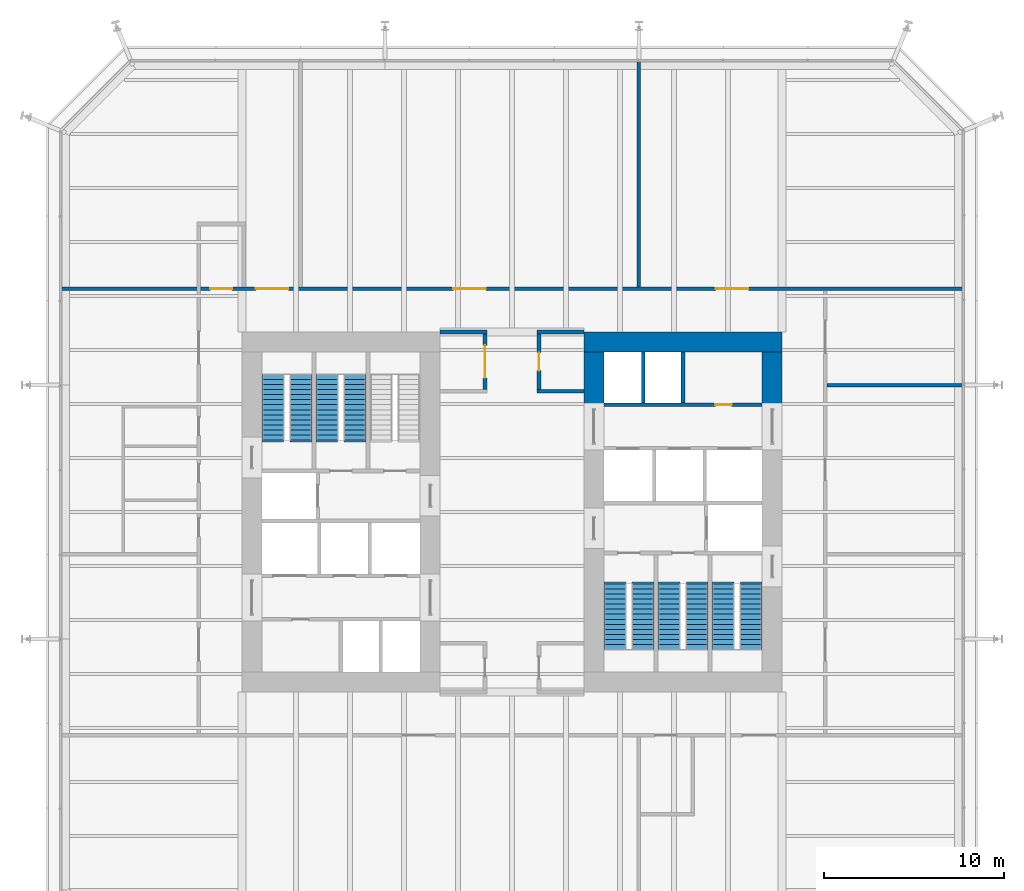
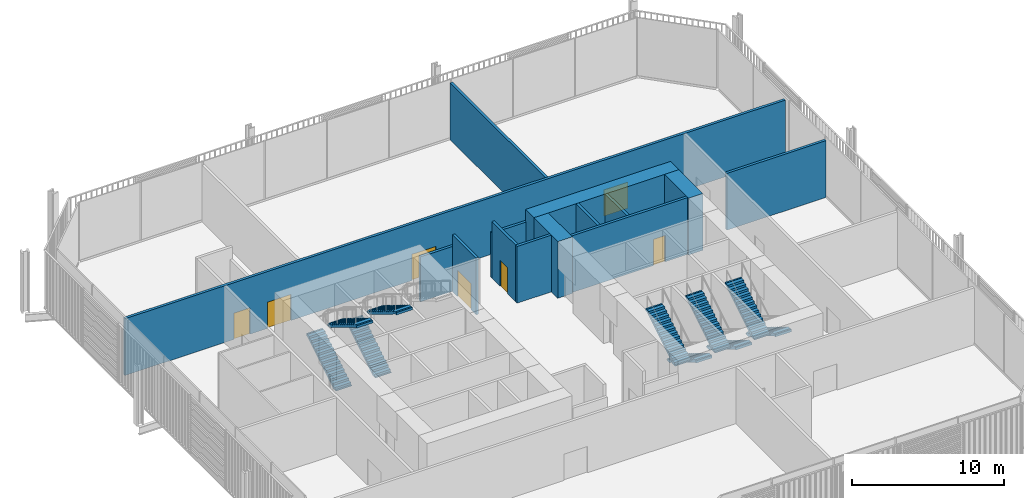
# One storey, part 20 of 22: 14 walls, 10 stair flights, 7 doors, 7 openings, 5 elements without a shape of their own.
"""IFC4 building model written with IfcOpenShell, lengths in metres."""

import ifcopenshell
import ifcopenshell.guid

model = None  # the IFC model being written
_history = None  # IfcOwnerHistory: only IFC2X3 demands one
_inside = {}  # id of a spatial element -> (the spatial element, [elements in it])
_under = {}  # id of a project, library or spatial element -> (it, [spatial elements below it])
_declared = {}  # id of a project -> (the project, [libraries it declares])
_typed = {}  # id of a type object -> (the type object, [elements of that type])
_made_of = {}  # id of a material, layer set ... -> (it, [elements and type objects made of it])


def new_model(schema):
    """Start an empty IFC model of exactly this schema.

    Asked for "IFC4X3", IfcOpenShell would pick the latest addendum, in which some entities
    have other attributes; the version numbers below select the first issue.
    IFC2X3 requires an IfcOwnerHistory on every rooted entity: one is made here for all.
    """
    global model, _history
    if schema == "IFC4X3":
        model = ifcopenshell.file(schema_version=(4, 3, 0, 0))
    else:
        model = ifcopenshell.file(schema=schema)
    _inside.clear()
    _under.clear()
    _declared.clear()
    _typed.clear()
    _made_of.clear()
    _history = None
    if model.schema == "IFC2X3":
        org = make("IfcOrganization", Name="unknown")
        user = make(
            "IfcPersonAndOrganization",
            ThePerson=make("IfcPerson", FamilyName="unknown"),
            TheOrganization=org,
        )
        app = make(
            "IfcApplication",
            ApplicationDeveloper=org,
            Version="unknown",
            ApplicationFullName="unknown",
            ApplicationIdentifier="unknown",
        )
        _history = make(
            "IfcOwnerHistory",
            OwningUser=user,
            OwningApplication=app,
            ChangeAction="ADDED",
            CreationDate=0,
        )
    return model


def make(cls, **values):
    """One entity of the class cls with the attributes given. An attribute that is None is left unset."""
    return model.create_entity(
        cls, **{name: value for name, value in values.items() if value is not None}
    )


def rooted(cls, **values):
    """An entity with a GlobalId (a new one), such as an element, a storey or a relation."""
    return make(cls, GlobalId=ifcopenshell.guid.new(), OwnerHistory=_history, **values)


def si_unit(unit_type, name, prefix=None):
    """IfcSIUnit, for example si_unit("LENGTHUNIT", "METRE", prefix="MILLI")."""
    return make("IfcSIUnit", UnitType=unit_type, Prefix=prefix, Name=name)


def assignment(units):
    """IfcUnitAssignment: the units of a project."""
    return None if units is None else make("IfcUnitAssignment", Units=units)


def point(xyz):
    """IfcCartesianPoint."""
    return None if xyz is None else make("IfcCartesianPoint", Coordinates=xyz)


def direction(xyz):
    """IfcDirection."""
    return None if xyz is None else make("IfcDirection", DirectionRatios=xyz)


def frame(location, z_axis=None, x_axis=None):
    """IfcAxis2Placement3D, a coordinate frame: its origin and axes. An axis left out is left unset."""
    return make(
        "IfcAxis2Placement3D",
        Location=point(location),
        Axis=direction(z_axis),
        RefDirection=direction(x_axis),
    )


def frame_2d(location, x_axis=None):
    """IfcAxis2Placement2D, a coordinate frame in the plane: its origin and x axis."""
    return make(
        "IfcAxis2Placement2D", Location=point(location), RefDirection=direction(x_axis)
    )


def origin():
    """The frame at (0, 0, 0) with its axes left unset."""
    return frame((0.0, 0.0, 0.0))


def place(relative_to, where):
    """IfcLocalPlacement: puts the frame where relative to a parent placement (None: the world)."""
    return make(
        "IfcLocalPlacement", PlacementRelTo=relative_to, RelativePlacement=where
    )


def context(
    kind, dimensions, precision=None, world=None, true_north=None, identifier=None
):
    """IfcGeometricRepresentationContext, for example the 3D "Model" context."""
    return make(
        "IfcGeometricRepresentationContext",
        ContextIdentifier=identifier,
        ContextType=kind,
        CoordinateSpaceDimension=dimensions,
        Precision=precision,
        WorldCoordinateSystem=world,
        TrueNorth=true_north,
    )


def subcontext(parent, identifier, kind, view, scale=None):
    """IfcGeometricRepresentationSubContext, for example "Body" below "Model"."""
    return make(
        "IfcGeometricRepresentationSubContext",
        ContextIdentifier=identifier,
        ContextType=kind,
        ParentContext=parent,
        TargetScale=scale,
        TargetView=view,
    )


def project(units=None, contexts=None):
    """IfcProject with its units and contexts."""
    return rooted(
        "IfcProject",
        Name="project",
        RepresentationContexts=contexts,
        UnitsInContext=assignment(units),
    )


def spatial(cls, under=None, at=None, **own):
    """A site, building, storey or space (cls), placed at a placement, below another one or the project."""
    s = rooted(cls, ObjectPlacement=at, **own)
    if under is not None:
        _under.setdefault(under.id(), (under, []))[1].append(s)
    return s


def polyline(points):
    """IfcPolyline through the points."""
    return make("IfcPolyline", Points=[point(p) for p in points])


def profile(cls, at=None, kind="AREA", **sizes):
    """A parametric profile (cls). Its sizes go by their IFC names, for example OverallWidth=200.0."""
    return make(cls, ProfileType=kind, Position=at, **sizes)


def rectangle(**sizes):
    """IfcRectangleProfileDef."""
    return profile("IfcRectangleProfileDef", **sizes)


def outline(outer, holes=None, kind="AREA"):
    """IfcArbitraryClosedProfileDef: a profile drawn as a closed curve; with holes, ...WithVoids."""
    if holes is None:
        return make("IfcArbitraryClosedProfileDef", ProfileType=kind, OuterCurve=outer)
    return make(
        "IfcArbitraryProfileDefWithVoids",
        ProfileType=kind,
        OuterCurve=outer,
        InnerCurves=holes,
    )


def extrude(swept, where, along, depth):
    """IfcExtrudedAreaSolid: the profile swept, set in the frame where, extruded along a direction by depth."""
    return make(
        "IfcExtrudedAreaSolid",
        SweptArea=swept,
        Position=where,
        ExtrudedDirection=direction(along),
        Depth=depth,
    )


def shape(context_of_items, identifier, shape_type, items):
    """IfcShapeRepresentation: the items that make up one representation, for example the "Body"."""
    return make(
        "IfcShapeRepresentation",
        ContextOfItems=context_of_items,
        RepresentationIdentifier=identifier,
        RepresentationType=shape_type,
        Items=items,
    )


def material(Name=None, Category=None):
    """IfcMaterial."""
    return make("IfcMaterial", Name=Name, Category=Category)


def layer(
    of_material, thickness, ventilated=None, Name=None, Category=None, Priority=None
):
    """IfcMaterialLayer: one layer of a wall or slab, of a material (None: an air gap)."""
    return make(
        "IfcMaterialLayer",
        Material=of_material,
        LayerThickness=thickness,
        IsVentilated=ventilated,
        Name=Name,
        Category=Category,
        Priority=Priority,
    )


def layer_set(layers, Name=None):
    """IfcMaterialLayerSet."""
    return make("IfcMaterialLayerSet", MaterialLayers=layers, LayerSetName=Name)


def made_of(thing, what):
    """Note that an element or type object is made of a material, layer set ...; save() writes the relation."""
    if what is not None:
        _made_of.setdefault(what.id(), (what, []))[1].append(thing)
    return thing


def type_object(cls, material=None, **own):
    """A type object (cls), such as IfcWallType, which elements share."""
    return made_of(rooted(cls, **own), material)


def element(
    cls,
    number,
    at=None,
    inside=None,
    cuts=None,
    type_object=None,
    material=None,
    context=None,
    identifier="Body",
    shape_type=None,
    held_by="IfcProductDefinitionShape",
    body=None,
    shapes=None,
    **own,
):
    """One element of the class cls, such as IfcWall. Its Tag is "e" and its number.

    at: its placement. inside: the storey or other place that contains it. cuts: it is an
    opening in that element (IfcRelVoidsElement). A single representation is given by context,
    identifier, shape_type and body (its items); several are given by shapes. held_by: the class
    of the entity that holds the representations. save() writes the other relations.
    """
    e = rooted(cls, Tag="e%d" % number, ObjectPlacement=at, **own)
    if body is not None:
        shapes = [shape(context, identifier, shape_type, body)]
    if shapes is not None:
        e.Representation = make(held_by, Representations=shapes)
    if inside is not None:
        _inside.setdefault(inside.id(), (inside, []))[1].append(e)
    if cuts is not None:
        rooted(
            "IfcRelVoidsElement", RelatingBuildingElement=cuts, RelatedOpeningElement=e
        )
    if type_object is not None:
        _typed.setdefault(type_object.id(), (type_object, []))[1].append(e)
    return made_of(e, material)


def fill(opening, filler):
    """IfcRelFillsElement: the door or window that sits in an opening."""
    return rooted(
        "IfcRelFillsElement",
        RelatingOpeningElement=opening,
        RelatedBuildingElement=filler,
    )


def aggregate(whole, parts):
    """IfcRelAggregates: a whole, such as a stair, and the parts it consists of."""
    return rooted("IfcRelAggregates", RelatingObject=whole, RelatedObjects=parts)


def save(model, path):
    """Write the relations noted so far, then the file.

    IfcRelAggregates (storeys below a building ...), IfcRelContainedInSpatialStructure (elements
    in a storey), IfcRelDefinesByType, IfcRelAssociatesMaterial and IfcRelDeclares: one each for
    every whole, place, type object, material and project.
    """
    for whole, parts in _under.values():
        aggregate(whole, parts)
    for where, things in _inside.values():
        rooted(
            "IfcRelContainedInSpatialStructure",
            RelatedElements=things,
            RelatingStructure=where,
        )
    for kind, things in _typed.values():
        rooted("IfcRelDefinesByType", RelatedObjects=things, RelatingType=kind)
    for what, things in _made_of.values():
        rooted("IfcRelAssociatesMaterial", RelatedObjects=things, RelatingMaterial=what)
    for by, libraries in _declared.values():
        rooted("IfcRelDeclares", RelatingContext=by, RelatedDefinitions=libraries)
    model.write(path)


model = new_model("IFC4")

# Units and contexts
model_context = context("Model", 3, precision=1e-05, world=origin(), true_north=direction((0.0, 1.0)))
body_context = subcontext(model_context, "Body", "Model", "MODEL_VIEW")
ifc_project = project(units=[si_unit("LENGTHUNIT", "METRE"), si_unit("AREAUNIT", "SQUARE_METRE"), si_unit("VOLUMEUNIT", "CUBIC_METRE"), si_unit("PLANEANGLEUNIT", "RADIAN"), si_unit("MASSUNIT", "GRAM", prefix="KILO")], contexts=[model_context])

# Site, building, storey
site_placement = place(None, origin())
site = spatial("IfcSite", under=ifc_project, at=site_placement, CompositionType="ELEMENT")
building_placement = place(site_placement, origin())
building = spatial("IfcBuilding", under=site, at=building_placement, Name="Millrace Tower", CompositionType="ELEMENT")
storey_placement = place(building_placement, frame((0.0, 0.0, 59.300048828125)))
storey = spatial("IfcBuildingStorey", under=building, at=storey_placement, Name="L13", CompositionType="ELEMENT", Elevation=59.300048828125)

# Walls
ifc_material_1 = material(Name="Concrete C80", Category="concrete")
ifc_layer_1 = layer(ifc_material_1, 1.10009765625)
ifc_layer_set_1 = layer_set([ifc_layer_1], Name="Concrete C80")
wall_type_1 = type_object("IfcWallType", Name="Core wall 1100 Concrete C80", PredefinedType="SHEAR", material=ifc_layer_set_1)
wall_1_placement = place(storey_placement, frame((15.0, 9.449951171875, 0.0), z_axis=(0.0, 0.0, 1.0), x_axis=(-1.0, 0.0, 0.0)))
element("IfcWall", 1, at=wall_1_placement, inside=storey, type_object=wall_type_1, Name="Core wall E L13", PredefinedType="SHEAR", context=body_context, shape_type="SweptSolid", body=[
    extrude(rectangle(XDim=11.0, YDim=1.10009765625, at=frame_2d((5.5, 0.0))), origin(), (0.0, 0.0, 1.0), 4.550048828125),
])
for number, where, z_axis, x_axis, name in (
    (2, (14.449951171875, 8.89990234375, 0.0), (0.0, 0.0, 1.0), (0.0, -1.0, 0.0), "Core wall E L13"),
    (3, (4.550048828125, 8.89990234375, 0.0), (0.0, 0.0, 1.0), (0.0, -1.0, 0.0), "Core wall E L13"),
):
    element("IfcWall", number, at=place(storey_placement, frame(where, z_axis=z_axis, x_axis=x_axis)), inside=storey, type_object=wall_type_1, Name=name, PredefinedType="SHEAR", context=body_context, shape_type="SweptSolid", body=[
        extrude(rectangle(XDim=3.14990234375, YDim=1.10009765625, at=frame_2d((1.574951171875, 0.0))), origin(), (0.0, 0.0, 1.0), 4.550048828125),
    ])
ifc_material_2 = material(Name="Masonry partition, fire-rated", Category="masonry")
ifc_layer_2 = layer(ifc_material_2, 0.199951171875)
ifc_layer_set_2 = layer_set([ifc_layer_2], Name="Masonry partition, fire-rated")
wall_type_2 = type_object("IfcWallType", Name="Corridor wall 200", PredefinedType="PARTITIONING", material=ifc_layer_set_2)
wall_2_placement = place(storey_placement, frame((1.39990234375, 6.699951171875, 0.0), z_axis=(0.0, 0.0, 1.0), x_axis=(1.0, 0.0, 0.0)))
element("IfcWall", 4, at=wall_2_placement, inside=storey, type_object=wall_type_2, Name="Corridor wall L13", PredefinedType="PARTITIONING", context=body_context, shape_type="SweptSolid", body=[
    extrude(rectangle(XDim=2.60009765625, YDim=0.199951171875, at=frame_2d((1.300048828125, 0.0))), origin(), (0.0, 0.0, 1.0), 4.550048828125),
])
wall_3_placement = place(storey_placement, frame((17.5, 7.050048828125, 0.0), z_axis=(0.0, 0.0, 1.0), x_axis=(1.0, 0.0, 0.0)))
element("IfcWall", 5, at=wall_3_placement, inside=storey, type_object=wall_type_2, Name="Corridor wall L13", PredefinedType="PARTITIONING", context=body_context, shape_type="SweptSolid", body=[
    extrude(rectangle(XDim=7.530029296875, YDim=0.199951171875, at=frame_2d((3.76513671875, 0.0))), origin(), (0.0, 0.0, 1.0), 4.550048828125),
])
for number, where, z_axis, x_axis, name in (
    (6, (-4.0, 10.0, 0.0), (0.0, 0.0, 1.0), (1.0, 0.0, 0.0), "Corridor wall L13"),
    (7, (1.39990234375, 10.0, 0.0), (0.0, 0.0, 1.0), (1.0, 0.0, 0.0), "Corridor wall L13"),
):
    element("IfcWall", number, at=place(storey_placement, frame(where, z_axis=z_axis, x_axis=x_axis)), inside=storey, type_object=wall_type_2, Name=name, PredefinedType="PARTITIONING", context=body_context, shape_type="SweptSolid", body=[
        extrude(rectangle(XDim=2.60009765625, YDim=0.199951171875, at=frame_2d((1.300048828125, 0.0))), origin(), (0.0, 0.0, 1.0), 3.6025390625),
    ])

# Wall, openings, doors
wall_4_placement = place(storey_placement, frame((-25.030029296875, 12.39990234375, 0.0), z_axis=(0.0, 0.0, 1.0), x_axis=(1.0, 0.0, 0.0)))
wall_4 = element("IfcWall", 8, at=wall_4_placement, inside=storey, type_object=wall_type_2, Name="Corridor wall L13", PredefinedType="PARTITIONING", context=body_context, shape_type="SweptSolid", body=[
    extrude(rectangle(XDim=50.06005859375, YDim=0.199951171875, at=frame_2d((25.030029296875, 0.0))), origin(), (0.0, 0.0, 1.0), 4.550048828125),
])
opening_1_placement = place(wall_4_placement, frame((10.804931640625, 0.0, 0.0)))
opening_1 = element("IfcOpeningElement", 9, at=opening_1_placement, cuts=wall_4, Name="Opening 13-P008", PredefinedType="OPENING", context=body_context, shape_type="SweptSolid", body=[
    extrude(rectangle(XDim=1.800048828125, YDim=2.10009765625, at=frame_2d((0.89990234375, 1.050048828125))), frame((0.0, 0.10986328125, 0.0), z_axis=(0.0, -1.0, 0.0), x_axis=(1.0, 0.0, 0.0)), (0.0, 0.0, 1.0), 0.219970703125),
])
opening_2_placement = place(wall_4_placement, frame((8.280029296875, 0.0, 0.0)))
opening_2 = element("IfcOpeningElement", 10, at=opening_2_placement, cuts=wall_4, Name="Opening 13-P009", PredefinedType="OPENING", context=body_context, shape_type="SweptSolid", body=[
    extrude(rectangle(XDim=1.199951171875, YDim=2.10009765625, at=frame_2d((0.60009765625, 1.050048828125))), frame((0.0, 0.10986328125, 0.0), z_axis=(0.0, -1.0, 0.0), x_axis=(1.0, 0.0, 0.0)), (0.0, 0.0, 1.0), 0.219970703125),
])
opening_3_placement = place(wall_4_placement, frame((21.780029296875, 0.0, 0.0)))
opening_3 = element("IfcOpeningElement", 11, at=opening_3_placement, cuts=wall_4, Name="Opening 13-P010", PredefinedType="OPENING", context=body_context, shape_type="SweptSolid", body=[
    extrude(rectangle(XDim=1.800048828125, YDim=2.10009765625, at=frame_2d((0.89990234375, 1.050048828125))), frame((0.0, 0.10986328125, 0.0), z_axis=(0.0, -1.0, 0.0), x_axis=(1.0, 0.0, 0.0)), (0.0, 0.0, 1.0), 0.219970703125),
])
opening_4_placement = place(wall_4_placement, frame((36.360107421875, 0.0, 0.0)))
opening_4 = element("IfcOpeningElement", 12, at=opening_4_placement, cuts=wall_4, Name="Opening 13-P011", PredefinedType="OPENING", context=body_context, shape_type="SweptSolid", body=[
    extrude(rectangle(XDim=1.800048828125, YDim=2.10009765625, at=frame_2d((0.89990234375, 1.050048828125))), frame((0.0, 0.10986328125, 0.0), z_axis=(0.0, -1.0, 0.0), x_axis=(1.0, 0.0, 0.0)), (0.0, 0.0, 1.0), 0.219970703125),
])
ifc_material_3 = material(Name="Steel door set, fire-rated", Category="steel")
door_type_1 = type_object("IfcDoorType", Name="Corridor door 1200 x 2100", OperationType="SINGLE_SWING_LEFT", PredefinedType="DOOR", material=ifc_material_3)
door_1_placement = place(opening_2_placement, origin())
door_1 = element("IfcDoor", 13, at=door_1_placement, inside=storey, type_object=door_type_1, Name="Door 13-P009", OperationType="SINGLE_SWING_LEFT", OverallHeight=2.10009765625, OverallWidth=1.199951171875, PredefinedType="DOOR", context=body_context, shape_type="SweptSolid", body=[
    extrude(rectangle(XDim=1.199951171875, YDim=2.10009765625, at=frame_2d((0.60009765625, 1.050048828125))), frame((0.0, 0.02490234375, 0.0), z_axis=(0.0, -1.0, 0.0), x_axis=(1.0, 0.0, 0.0)), (0.0, 0.0, 1.0), 0.050048828125),
])
fill(opening_2, door_1)
ifc_material_4 = material(Name="Steel door set, fire-rated", Category="steel")
door_type_2 = type_object("IfcDoorType", Name="Data hall door 1800 x 2100", OperationType="DOUBLE_DOOR_SINGLE_SWING", PredefinedType="DOOR", material=ifc_material_4)
door_2_placement = place(opening_1_placement, origin())
door_2 = element("IfcDoor", 14, at=door_2_placement, inside=storey, type_object=door_type_2, Name="Door 13-P008", OperationType="DOUBLE_DOOR_SINGLE_SWING", OverallHeight=2.10009765625, OverallWidth=1.800048828125, PredefinedType="DOOR", context=body_context, shape_type="SweptSolid", body=[
    extrude(rectangle(XDim=1.800048828125, YDim=2.10009765625, at=frame_2d((0.89990234375, 1.050048828125))), frame((0.0, 0.02490234375, 0.0), z_axis=(0.0, -1.0, 0.0), x_axis=(1.0, 0.0, 0.0)), (0.0, 0.0, 1.0), 0.050048828125),
])
fill(opening_1, door_2)
door_3_placement = place(opening_3_placement, origin())
door_3 = element("IfcDoor", 15, at=door_3_placement, inside=storey, type_object=door_type_2, Name="Door 13-P010", OperationType="DOUBLE_DOOR_SINGLE_SWING", OverallHeight=2.10009765625, OverallWidth=1.800048828125, PredefinedType="DOOR", context=body_context, shape_type="SweptSolid", body=[
    extrude(rectangle(XDim=1.800048828125, YDim=2.10009765625, at=frame_2d((0.89990234375, 1.050048828125))), frame((0.0, 0.02490234375, 0.0), z_axis=(0.0, -1.0, 0.0), x_axis=(1.0, 0.0, 0.0)), (0.0, 0.0, 1.0), 0.050048828125),
])
fill(opening_3, door_3)
door_4_placement = place(opening_4_placement, origin())
door_4 = element("IfcDoor", 16, at=door_4_placement, inside=storey, type_object=door_type_2, Name="Door 13-P011", OperationType="DOUBLE_DOOR_SINGLE_SWING", OverallHeight=2.10009765625, OverallWidth=1.800048828125, PredefinedType="DOOR", context=body_context, shape_type="SweptSolid", body=[
    extrude(rectangle(XDim=1.800048828125, YDim=2.10009765625, at=frame_2d((0.89990234375, 1.050048828125))), frame((0.0, 0.02490234375, 0.0), z_axis=(0.0, -1.0, 0.0), x_axis=(1.0, 0.0, 0.0)), (0.0, 0.0, 1.0), 0.050048828125),
])
fill(opening_4, door_4)

# Wall
wall_5_placement = place(storey_placement, frame((7.050048828125, 12.5, 0.0), z_axis=(0.0, 0.0, 1.0), x_axis=(0.0, 1.0, 0.0)))
element("IfcWall", 17, at=wall_5_placement, inside=storey, type_object=wall_type_2, Name="Corridor wall L13", PredefinedType="PARTITIONING", context=body_context, shape_type="SweptSolid", body=[
    extrude(rectangle(XDim=12.530029296875, YDim=0.199951171875, at=frame_2d((6.26513671875, 0.0))), origin(), (0.0, 0.0, 1.0), 4.550048828125),
])

# Wall, opening, door
wall_6_placement = place(storey_placement, frame((1.5, 6.800048828125, 0.0), z_axis=(0.0, 0.0, 1.0), x_axis=(0.0, 1.0, 0.0)))
wall_6 = element("IfcWall", 18, at=wall_6_placement, inside=storey, type_object=wall_type_2, Name="Corridor wall L13", PredefinedType="PARTITIONING", context=body_context, shape_type="SweptSolid", body=[
    extrude(rectangle(XDim=3.099853515625, YDim=0.199951171875, at=frame_2d((1.5498046875, 0.0))), origin(), (0.0, 0.0, 1.0), 4.550048828125),
])
opening_5_placement = place(wall_6_placement, frame((1.050048828125, 0.0, 0.0)))
opening_5 = element("IfcOpeningElement", 19, at=opening_5_placement, cuts=wall_6, Name="Opening 13-P002", PredefinedType="OPENING", context=body_context, shape_type="SweptSolid", body=[
    extrude(rectangle(XDim=1.0, YDim=2.10009765625, at=frame_2d((0.5, 1.050048828125))), frame((0.0, 0.10986328125, 0.0), z_axis=(0.0, -1.0, 0.0), x_axis=(1.0, 0.0, 0.0)), (0.0, 0.0, 1.0), 0.219970703125),
])
ifc_material_5 = material(Name="Steel door set, fire-rated", Category="steel")
door_type_3 = type_object("IfcDoorType", Name="Corridor door 1000 x 2100", OperationType="SINGLE_SWING_LEFT", PredefinedType="DOOR", material=ifc_material_5)
door_5_placement = place(opening_5_placement, frame((1.0, 0.0, 0.0), z_axis=(0.0, 0.0, 1.0), x_axis=(-1.0, 0.0, 0.0)))
door_5 = element("IfcDoor", 20, at=door_5_placement, inside=storey, type_object=door_type_3, Name="Door 13-P002", OperationType="SINGLE_SWING_RIGHT", OverallHeight=2.10009765625, OverallWidth=1.0, PredefinedType="DOOR", context=body_context, shape_type="SweptSolid", body=[
    extrude(rectangle(XDim=1.0, YDim=2.10009765625, at=frame_2d((0.5, 1.050048828125))), frame((0.0, 0.02490234375, 0.0), z_axis=(0.0, -1.0, 0.0), x_axis=(1.0, 0.0, 0.0)), (0.0, 0.0, 1.0), 0.050048828125),
])
fill(opening_5, door_5)

wall_7_placement = place(storey_placement, frame((-1.5, 6.800048828125, 0.0), z_axis=(0.0, 0.0, 1.0), x_axis=(0.0, 1.0, 0.0)))
wall_7 = element("IfcWall", 21, at=wall_7_placement, inside=storey, type_object=wall_type_2, Name="Corridor wall L13", PredefinedType="PARTITIONING", context=body_context, shape_type="SweptSolid", body=[
    extrude(rectangle(XDim=3.099853515625, YDim=0.199951171875, at=frame_2d((1.5498046875, 0.0))), origin(), (0.0, 0.0, 1.0), 4.550048828125),
])
opening_6_placement = place(wall_7_placement, frame((0.64990234375, 0.0, 0.0)))
opening_6 = element("IfcOpeningElement", 22, at=opening_6_placement, cuts=wall_7, Name="Opening 13-P001", PredefinedType="OPENING", context=body_context, shape_type="SweptSolid", body=[
    extrude(rectangle(XDim=1.800048828125, YDim=2.10009765625, at=frame_2d((0.89990234375, 1.050048828125))), frame((0.0, 0.10986328125, 0.0), z_axis=(0.0, -1.0, 0.0), x_axis=(1.0, 0.0, 0.0)), (0.0, 0.0, 1.0), 0.219970703125),
])
door_6_placement = place(opening_6_placement, origin())
door_6 = element("IfcDoor", 23, at=door_6_placement, inside=storey, type_object=door_type_2, Name="Door 13-P001", OperationType="DOUBLE_DOOR_SINGLE_SWING", OverallHeight=2.10009765625, OverallWidth=1.800048828125, PredefinedType="DOOR", context=body_context, shape_type="SweptSolid", body=[
    extrude(rectangle(XDim=1.800048828125, YDim=2.10009765625, at=frame_2d((0.89990234375, 1.050048828125))), frame((0.0, 0.02490234375, 0.0), z_axis=(0.0, -1.0, 0.0), x_axis=(1.0, 0.0, 0.0)), (0.0, 0.0, 1.0), 0.050048828125),
])
fill(opening_6, door_6)

ifc_material_6 = material(Name="Masonry partition, fire-rated", Category="masonry")
ifc_layer_3 = layer(ifc_material_6, 0.199951171875)
ifc_layer_set_3 = layer_set([ifc_layer_3], Name="Masonry partition, fire-rated")
wall_type_3 = type_object("IfcWallType", Name="Lift shaft wall 200", PredefinedType="PARTITIONING", material=ifc_layer_set_3)
wall_8_placement = place(storey_placement, frame((13.89990234375, 5.949951171875, 0.0), z_axis=(0.0, 0.0, 1.0), x_axis=(-1.0, 0.0, 0.0)))
wall_8 = element("IfcWall", 24, at=wall_8_placement, inside=storey, type_object=wall_type_3, Name="Lift shaft wall E L13", PredefinedType="PARTITIONING", context=body_context, shape_type="SweptSolid", body=[
    extrude(rectangle(XDim=8.7998046875, YDim=0.199951171875, at=frame_2d((4.39990234375, 0.0))), origin(), (0.0, 0.0, 1.0), 4.550048828125),
])
opening_7_placement = place(wall_8_placement, frame((1.699951171875, 0.0, 0.0)))
opening_7 = element("IfcOpeningElement", 25, at=opening_7_placement, cuts=wall_8, Name="Opening 13-C012", PredefinedType="OPENING", context=body_context, shape_type="SweptSolid", body=[
    extrude(rectangle(XDim=0.89990234375, YDim=2.10009765625, at=frame_2d((0.449951171875, 1.050048828125))), frame((0.0, 0.10986328125, 0.0), z_axis=(0.0, -1.0, 0.0), x_axis=(1.0, 0.0, 0.0)), (0.0, 0.0, 1.0), 0.219970703125),
])
ifc_material_7 = material(Name="Steel door, fire-rated", Category="steel")
door_type_4 = type_object("IfcDoorType", Name="Service room door 900 x 2100", OperationType="SINGLE_SWING_LEFT", PredefinedType="DOOR", material=ifc_material_7)
door_7_placement = place(opening_7_placement, frame((0.89990234375, 0.0, 0.0), z_axis=(0.0, 0.0, 1.0), x_axis=(-1.0, 0.0, 0.0)))
door_7 = element("IfcDoor", 26, at=door_7_placement, inside=storey, type_object=door_type_4, Name="Service room door 13-C012", OperationType="SINGLE_SWING_RIGHT", OverallHeight=2.10009765625, OverallWidth=0.89990234375, PredefinedType="DOOR", context=body_context, shape_type="SweptSolid", body=[
    extrude(rectangle(XDim=0.89990234375, YDim=2.10009765625, at=frame_2d((0.449951171875, 1.050048828125))), frame((0.0, 0.02490234375, 0.0), z_axis=(0.0, -1.0, 0.0), x_axis=(1.0, 0.0, 0.0)), (0.0, 0.0, 1.0), 0.050048828125),
])
fill(opening_7, door_7)

# Walls
for number, where, z_axis, x_axis, name in (
    (27, (9.5, 8.89990234375, 0.0), (0.0, 0.0, 1.0), (0.0, -1.0, 0.0), "Lift shaft wall E L13"),
    (28, (7.300048828125, 8.89990234375, 0.0), (0.0, 0.0, 1.0), (0.0, -1.0, 0.0), "Lift shaft wall E L13"),
):
    element("IfcWall", number, at=place(storey_placement, frame(where, z_axis=z_axis, x_axis=x_axis)), inside=storey, type_object=wall_type_3, Name=name, PredefinedType="PARTITIONING", context=body_context, shape_type="SweptSolid", body=[
        extrude(rectangle(XDim=2.849853515625, YDim=0.199951171875, at=frame_2d((1.4248046875, 0.0))), origin(), (0.0, 0.0, 1.0), 4.550048828125),
    ])

# Stair, stair flights
ifc_material_8 = material(Name="Concrete C35", Category="concrete")
stair_type = type_object("IfcStairType", Name="Exit stair", PredefinedType="HALF_TURN_STAIR", material=ifc_material_8)
placement = place(storey_placement, origin())
stair_1 = element("IfcStair", 29, at=placement, inside=storey, type_object=stair_type, Name="Stair 1 W L13", PredefinedType="HALF_TURN_STAIR")
ifc_material_9 = material(Name="Concrete C35", Category="concrete")
stair_flight_type = type_object("IfcStairFlightType", Name="Exit stair flight", PredefinedType="STRAIGHT", material=ifc_material_9)
stair_flight_1_placement = place(storey_placement, frame((-13.2900390625, 4.0, 0.0), z_axis=(0.0, 0.0, 1.0), x_axis=(0.0, 1.0, 0.0)))
stair_flight_1 = element("IfcStairFlight", 30, at=stair_flight_1_placement, type_object=stair_flight_type, Name="ST12 flight 1", NumberOfRisers=14, NumberOfTreads=13, PredefinedType="STRAIGHT", RiserHeight=0.171428571, TreadLength=0.28, context=body_context, shape_type="SweptSolid", body=[
    extrude(outline(polyline([(-0.1201171875, -0.0400390625), (-0.1201171875, 0.0), (0.0, 0.0), (0.0, 0.17138671875), (0.280029296875, 0.17138671875), (0.280029296875, 0.3427734375), (0.56005859375, 0.3427734375), (0.56005859375, 0.514404296875), (0.840087890625, 0.514404296875), (0.840087890625, 0.685791015625), (1.1201171875, 0.685791015625), (1.1201171875, 0.857177734375), (1.39990234375, 0.857177734375), (1.39990234375, 1.028564453125), (1.679931640625, 1.028564453125), (1.679931640625, 1.199951171875), (1.9599609375, 1.199951171875), (1.9599609375, 1.371337890625), (2.239990234375, 1.371337890625), (2.239990234375, 1.54296875), (2.52001953125, 1.54296875), (2.52001953125, 1.71435546875), (2.800048828125, 1.71435546875), (2.800048828125, 1.8857421875), (3.080078125, 1.8857421875), (3.080078125, 2.05712890625), (3.360107421875, 2.05712890625), (3.360107421875, 2.228515625), (3.639892578125, 2.228515625), (3.639892578125, 2.24853515625), (3.760009765625, 2.24853515625), (3.760009765625, 2.052734375), (3.639892578125, 2.052734375), (0.287109375, 0.0), (0.287109375, -0.0400390625), (-0.1201171875, -0.0400390625)])), frame((0.0, 0.60986328125, 0.0), z_axis=(0.0, -1.0, 0.0), x_axis=(1.0, 0.0, 0.0)), (0.0, 0.0, 1.0), 1.219970703125),
])
stair_flight_2_placement = place(storey_placement, frame((-11.7099609375, 7.639892578125, 2.39990234375), z_axis=(0.0, 0.0, 1.0), x_axis=(0.0, -1.0, 0.0)))
stair_flight_2 = element("IfcStairFlight", 31, at=stair_flight_2_placement, type_object=stair_flight_type, Name="ST12 flight 2", NumberOfRisers=14, NumberOfTreads=13, PredefinedType="STRAIGHT", RiserHeight=0.171428571, TreadLength=0.28, context=body_context, shape_type="SweptSolid", body=[
    extrude(outline(polyline([(-0.1201171875, -0.0400390625), (-0.1201171875, 0.0), (0.0, 0.0), (0.0, 0.17138671875), (0.280029296875, 0.17138671875), (0.280029296875, 0.3427734375), (0.56005859375, 0.3427734375), (0.56005859375, 0.514404296875), (0.840087890625, 0.514404296875), (0.840087890625, 0.685791015625), (1.1201171875, 0.685791015625), (1.1201171875, 0.857177734375), (1.39990234375, 0.857177734375), (1.39990234375, 1.028564453125), (1.679931640625, 1.028564453125), (1.679931640625, 1.199951171875), (1.9599609375, 1.199951171875), (1.9599609375, 1.371337890625), (2.239990234375, 1.371337890625), (2.239990234375, 1.54296875), (2.52001953125, 1.54296875), (2.52001953125, 1.71435546875), (2.800048828125, 1.71435546875), (2.800048828125, 1.8857421875), (3.080078125, 1.8857421875), (3.080078125, 2.05712890625), (3.360107421875, 2.05712890625), (3.360107421875, 2.228515625), (3.639892578125, 2.228515625), (3.639892578125, 2.24853515625), (3.760009765625, 2.24853515625), (3.760009765625, 2.052734375), (3.639892578125, 2.052734375), (0.287109375, 0.0), (0.287109375, -0.0400390625), (-0.1201171875, -0.0400390625)])), frame((0.0, 0.60986328125, 0.0), z_axis=(0.0, -1.0, 0.0), x_axis=(1.0, 0.0, 0.0)), (0.0, 0.0, 1.0), 1.219970703125),
])
aggregate(stair_1, [stair_flight_1, stair_flight_2])

stair_2 = element("IfcStair", 32, at=placement, inside=storey, type_object=stair_type, Name="Stair 2 W L13", PredefinedType="HALF_TURN_STAIR")
stair_flight_3_placement = place(storey_placement, frame((-10.2900390625, 4.0, 0.0), z_axis=(0.0, 0.0, 1.0), x_axis=(0.0, 1.0, 0.0)))
stair_flight_3 = element("IfcStairFlight", 33, at=stair_flight_3_placement, type_object=stair_flight_type, Name="ST12 flight 1", NumberOfRisers=14, NumberOfTreads=13, PredefinedType="STRAIGHT", RiserHeight=0.171428571, TreadLength=0.28, context=body_context, shape_type="SweptSolid", body=[
    extrude(outline(polyline([(-0.1201171875, -0.0400390625), (-0.1201171875, 0.0), (0.0, 0.0), (0.0, 0.17138671875), (0.280029296875, 0.17138671875), (0.280029296875, 0.3427734375), (0.56005859375, 0.3427734375), (0.56005859375, 0.514404296875), (0.840087890625, 0.514404296875), (0.840087890625, 0.685791015625), (1.1201171875, 0.685791015625), (1.1201171875, 0.857177734375), (1.39990234375, 0.857177734375), (1.39990234375, 1.028564453125), (1.679931640625, 1.028564453125), (1.679931640625, 1.199951171875), (1.9599609375, 1.199951171875), (1.9599609375, 1.371337890625), (2.239990234375, 1.371337890625), (2.239990234375, 1.54296875), (2.52001953125, 1.54296875), (2.52001953125, 1.71435546875), (2.800048828125, 1.71435546875), (2.800048828125, 1.8857421875), (3.080078125, 1.8857421875), (3.080078125, 2.05712890625), (3.360107421875, 2.05712890625), (3.360107421875, 2.228515625), (3.639892578125, 2.228515625), (3.639892578125, 2.24853515625), (3.760009765625, 2.24853515625), (3.760009765625, 2.052734375), (3.639892578125, 2.052734375), (0.287109375, 0.0), (0.287109375, -0.0400390625), (-0.1201171875, -0.0400390625)])), frame((0.0, 0.60986328125, 0.0), z_axis=(0.0, -1.0, 0.0), x_axis=(1.0, 0.0, 0.0)), (0.0, 0.0, 1.0), 1.219970703125),
])
stair_flight_4_placement = place(storey_placement, frame((-8.7099609375, 7.639892578125, 2.39990234375), z_axis=(0.0, 0.0, 1.0), x_axis=(0.0, -1.0, 0.0)))
stair_flight_4 = element("IfcStairFlight", 34, at=stair_flight_4_placement, type_object=stair_flight_type, Name="ST12 flight 2", NumberOfRisers=14, NumberOfTreads=13, PredefinedType="STRAIGHT", RiserHeight=0.171428571, TreadLength=0.28, context=body_context, shape_type="SweptSolid", body=[
    extrude(outline(polyline([(-0.1201171875, -0.0400390625), (-0.1201171875, 0.0), (0.0, 0.0), (0.0, 0.17138671875), (0.280029296875, 0.17138671875), (0.280029296875, 0.3427734375), (0.56005859375, 0.3427734375), (0.56005859375, 0.514404296875), (0.840087890625, 0.514404296875), (0.840087890625, 0.685791015625), (1.1201171875, 0.685791015625), (1.1201171875, 0.857177734375), (1.39990234375, 0.857177734375), (1.39990234375, 1.028564453125), (1.679931640625, 1.028564453125), (1.679931640625, 1.199951171875), (1.9599609375, 1.199951171875), (1.9599609375, 1.371337890625), (2.239990234375, 1.371337890625), (2.239990234375, 1.54296875), (2.52001953125, 1.54296875), (2.52001953125, 1.71435546875), (2.800048828125, 1.71435546875), (2.800048828125, 1.8857421875), (3.080078125, 1.8857421875), (3.080078125, 2.05712890625), (3.360107421875, 2.05712890625), (3.360107421875, 2.228515625), (3.639892578125, 2.228515625), (3.639892578125, 2.24853515625), (3.760009765625, 2.24853515625), (3.760009765625, 2.052734375), (3.639892578125, 2.052734375), (0.287109375, 0.0), (0.287109375, -0.0400390625), (-0.1201171875, -0.0400390625)])), frame((0.0, 0.60986328125, 0.0), z_axis=(0.0, -1.0, 0.0), x_axis=(1.0, 0.0, 0.0)), (0.0, 0.0, 1.0), 1.219970703125),
])
aggregate(stair_2, [stair_flight_3, stair_flight_4])

stair_3 = element("IfcStair", 35, at=placement, inside=storey, type_object=stair_type, Name="Stair 1 E L13", PredefinedType="HALF_TURN_STAIR")
stair_flight_5_placement = place(storey_placement, frame((13.2900390625, -4.0, 0.0), z_axis=(0.0, 0.0, 1.0), x_axis=(0.0, -1.0, 0.0)))
stair_flight_5 = element("IfcStairFlight", 36, at=stair_flight_5_placement, type_object=stair_flight_type, Name="ST12 flight 1", NumberOfRisers=14, NumberOfTreads=13, PredefinedType="STRAIGHT", RiserHeight=0.171428571, TreadLength=0.28, context=body_context, shape_type="SweptSolid", body=[
    extrude(outline(polyline([(-0.1201171875, -0.0400390625), (-0.1201171875, 0.0), (0.0, 0.0), (0.0, 0.17138671875), (0.280029296875, 0.17138671875), (0.280029296875, 0.3427734375), (0.56005859375, 0.3427734375), (0.56005859375, 0.514404296875), (0.840087890625, 0.514404296875), (0.840087890625, 0.685791015625), (1.1201171875, 0.685791015625), (1.1201171875, 0.857177734375), (1.39990234375, 0.857177734375), (1.39990234375, 1.028564453125), (1.679931640625, 1.028564453125), (1.679931640625, 1.199951171875), (1.9599609375, 1.199951171875), (1.9599609375, 1.371337890625), (2.239990234375, 1.371337890625), (2.239990234375, 1.54296875), (2.52001953125, 1.54296875), (2.52001953125, 1.71435546875), (2.800048828125, 1.71435546875), (2.800048828125, 1.8857421875), (3.080078125, 1.8857421875), (3.080078125, 2.05712890625), (3.360107421875, 2.05712890625), (3.360107421875, 2.228515625), (3.639892578125, 2.228515625), (3.639892578125, 2.24853515625), (3.760009765625, 2.24853515625), (3.760009765625, 2.052734375), (3.639892578125, 2.052734375), (0.287109375, 0.0), (0.287109375, -0.0400390625), (-0.1201171875, -0.0400390625)])), frame((0.0, 0.60986328125, 0.0), z_axis=(0.0, -1.0, 0.0), x_axis=(1.0, 0.0, 0.0)), (0.0, 0.0, 1.0), 1.219970703125),
])
stair_flight_6_placement = place(storey_placement, frame((11.7099609375, -7.639892578125, 2.39990234375), z_axis=(0.0, 0.0, 1.0), x_axis=(0.0, 1.0, 0.0)))
stair_flight_6 = element("IfcStairFlight", 37, at=stair_flight_6_placement, type_object=stair_flight_type, Name="ST12 flight 2", NumberOfRisers=14, NumberOfTreads=13, PredefinedType="STRAIGHT", RiserHeight=0.171428571, TreadLength=0.28, context=body_context, shape_type="SweptSolid", body=[
    extrude(outline(polyline([(-0.1201171875, -0.0400390625), (-0.1201171875, 0.0), (0.0, 0.0), (0.0, 0.17138671875), (0.280029296875, 0.17138671875), (0.280029296875, 0.3427734375), (0.56005859375, 0.3427734375), (0.56005859375, 0.514404296875), (0.840087890625, 0.514404296875), (0.840087890625, 0.685791015625), (1.1201171875, 0.685791015625), (1.1201171875, 0.857177734375), (1.39990234375, 0.857177734375), (1.39990234375, 1.028564453125), (1.679931640625, 1.028564453125), (1.679931640625, 1.199951171875), (1.9599609375, 1.199951171875), (1.9599609375, 1.371337890625), (2.239990234375, 1.371337890625), (2.239990234375, 1.54296875), (2.52001953125, 1.54296875), (2.52001953125, 1.71435546875), (2.800048828125, 1.71435546875), (2.800048828125, 1.8857421875), (3.080078125, 1.8857421875), (3.080078125, 2.05712890625), (3.360107421875, 2.05712890625), (3.360107421875, 2.228515625), (3.639892578125, 2.228515625), (3.639892578125, 2.24853515625), (3.760009765625, 2.24853515625), (3.760009765625, 2.052734375), (3.639892578125, 2.052734375), (0.287109375, 0.0), (0.287109375, -0.0400390625), (-0.1201171875, -0.0400390625)])), frame((0.0, 0.60986328125, 0.0), z_axis=(0.0, -1.0, 0.0), x_axis=(1.0, 0.0, 0.0)), (0.0, 0.0, 1.0), 1.219970703125),
])
aggregate(stair_3, [stair_flight_5, stair_flight_6])

stair_4 = element("IfcStair", 38, at=placement, inside=storey, type_object=stair_type, Name="Stair 2 E L13", PredefinedType="HALF_TURN_STAIR")
stair_flight_7_placement = place(storey_placement, frame((10.2900390625, -4.0, 0.0), z_axis=(0.0, 0.0, 1.0), x_axis=(0.0, -1.0, 0.0)))
stair_flight_7 = element("IfcStairFlight", 39, at=stair_flight_7_placement, type_object=stair_flight_type, Name="ST12 flight 1", NumberOfRisers=14, NumberOfTreads=13, PredefinedType="STRAIGHT", RiserHeight=0.171428571, TreadLength=0.28, context=body_context, shape_type="SweptSolid", body=[
    extrude(outline(polyline([(-0.1201171875, -0.0400390625), (-0.1201171875, 0.0), (0.0, 0.0), (0.0, 0.17138671875), (0.280029296875, 0.17138671875), (0.280029296875, 0.3427734375), (0.56005859375, 0.3427734375), (0.56005859375, 0.514404296875), (0.840087890625, 0.514404296875), (0.840087890625, 0.685791015625), (1.1201171875, 0.685791015625), (1.1201171875, 0.857177734375), (1.39990234375, 0.857177734375), (1.39990234375, 1.028564453125), (1.679931640625, 1.028564453125), (1.679931640625, 1.199951171875), (1.9599609375, 1.199951171875), (1.9599609375, 1.371337890625), (2.239990234375, 1.371337890625), (2.239990234375, 1.54296875), (2.52001953125, 1.54296875), (2.52001953125, 1.71435546875), (2.800048828125, 1.71435546875), (2.800048828125, 1.8857421875), (3.080078125, 1.8857421875), (3.080078125, 2.05712890625), (3.360107421875, 2.05712890625), (3.360107421875, 2.228515625), (3.639892578125, 2.228515625), (3.639892578125, 2.24853515625), (3.760009765625, 2.24853515625), (3.760009765625, 2.052734375), (3.639892578125, 2.052734375), (0.287109375, 0.0), (0.287109375, -0.0400390625), (-0.1201171875, -0.0400390625)])), frame((0.0, 0.60986328125, 0.0), z_axis=(0.0, -1.0, 0.0), x_axis=(1.0, 0.0, 0.0)), (0.0, 0.0, 1.0), 1.219970703125),
])
stair_flight_8_placement = place(storey_placement, frame((8.7099609375, -7.639892578125, 2.39990234375), z_axis=(0.0, 0.0, 1.0), x_axis=(0.0, 1.0, 0.0)))
stair_flight_8 = element("IfcStairFlight", 40, at=stair_flight_8_placement, type_object=stair_flight_type, Name="ST12 flight 2", NumberOfRisers=14, NumberOfTreads=13, PredefinedType="STRAIGHT", RiserHeight=0.171428571, TreadLength=0.28, context=body_context, shape_type="SweptSolid", body=[
    extrude(outline(polyline([(-0.1201171875, -0.0400390625), (-0.1201171875, 0.0), (0.0, 0.0), (0.0, 0.17138671875), (0.280029296875, 0.17138671875), (0.280029296875, 0.3427734375), (0.56005859375, 0.3427734375), (0.56005859375, 0.514404296875), (0.840087890625, 0.514404296875), (0.840087890625, 0.685791015625), (1.1201171875, 0.685791015625), (1.1201171875, 0.857177734375), (1.39990234375, 0.857177734375), (1.39990234375, 1.028564453125), (1.679931640625, 1.028564453125), (1.679931640625, 1.199951171875), (1.9599609375, 1.199951171875), (1.9599609375, 1.371337890625), (2.239990234375, 1.371337890625), (2.239990234375, 1.54296875), (2.52001953125, 1.54296875), (2.52001953125, 1.71435546875), (2.800048828125, 1.71435546875), (2.800048828125, 1.8857421875), (3.080078125, 1.8857421875), (3.080078125, 2.05712890625), (3.360107421875, 2.05712890625), (3.360107421875, 2.228515625), (3.639892578125, 2.228515625), (3.639892578125, 2.24853515625), (3.760009765625, 2.24853515625), (3.760009765625, 2.052734375), (3.639892578125, 2.052734375), (0.287109375, 0.0), (0.287109375, -0.0400390625), (-0.1201171875, -0.0400390625)])), frame((0.0, 0.60986328125, 0.0), z_axis=(0.0, -1.0, 0.0), x_axis=(1.0, 0.0, 0.0)), (0.0, 0.0, 1.0), 1.219970703125),
])
aggregate(stair_4, [stair_flight_7, stair_flight_8])

stair_5 = element("IfcStair", 41, at=placement, inside=storey, type_object=stair_type, Name="Stair 3 E L13", PredefinedType="HALF_TURN_STAIR")
stair_flight_9_placement = place(storey_placement, frame((7.2900390625, -4.0, 0.0), z_axis=(0.0, 0.0, 1.0), x_axis=(0.0, -1.0, 0.0)))
stair_flight_9 = element("IfcStairFlight", 42, at=stair_flight_9_placement, type_object=stair_flight_type, Name="ST12 flight 1", NumberOfRisers=14, NumberOfTreads=13, PredefinedType="STRAIGHT", RiserHeight=0.171428571, TreadLength=0.28, context=body_context, shape_type="SweptSolid", body=[
    extrude(outline(polyline([(-0.1201171875, -0.0400390625), (-0.1201171875, 0.0), (0.0, 0.0), (0.0, 0.17138671875), (0.280029296875, 0.17138671875), (0.280029296875, 0.3427734375), (0.56005859375, 0.3427734375), (0.56005859375, 0.514404296875), (0.840087890625, 0.514404296875), (0.840087890625, 0.685791015625), (1.1201171875, 0.685791015625), (1.1201171875, 0.857177734375), (1.39990234375, 0.857177734375), (1.39990234375, 1.028564453125), (1.679931640625, 1.028564453125), (1.679931640625, 1.199951171875), (1.9599609375, 1.199951171875), (1.9599609375, 1.371337890625), (2.239990234375, 1.371337890625), (2.239990234375, 1.54296875), (2.52001953125, 1.54296875), (2.52001953125, 1.71435546875), (2.800048828125, 1.71435546875), (2.800048828125, 1.8857421875), (3.080078125, 1.8857421875), (3.080078125, 2.05712890625), (3.360107421875, 2.05712890625), (3.360107421875, 2.228515625), (3.639892578125, 2.228515625), (3.639892578125, 2.24853515625), (3.760009765625, 2.24853515625), (3.760009765625, 2.052734375), (3.639892578125, 2.052734375), (0.287109375, 0.0), (0.287109375, -0.0400390625), (-0.1201171875, -0.0400390625)])), frame((0.0, 0.60986328125, 0.0), z_axis=(0.0, -1.0, 0.0), x_axis=(1.0, 0.0, 0.0)), (0.0, 0.0, 1.0), 1.219970703125),
])
stair_flight_10_placement = place(storey_placement, frame((5.7099609375, -7.639892578125, 2.39990234375), z_axis=(0.0, 0.0, 1.0), x_axis=(0.0, 1.0, 0.0)))
stair_flight_10 = element("IfcStairFlight", 43, at=stair_flight_10_placement, type_object=stair_flight_type, Name="ST12 flight 2", NumberOfRisers=14, NumberOfTreads=13, PredefinedType="STRAIGHT", RiserHeight=0.171428571, TreadLength=0.28, context=body_context, shape_type="SweptSolid", body=[
    extrude(outline(polyline([(-0.1201171875, -0.0400390625), (-0.1201171875, 0.0), (0.0, 0.0), (0.0, 0.17138671875), (0.280029296875, 0.17138671875), (0.280029296875, 0.3427734375), (0.56005859375, 0.3427734375), (0.56005859375, 0.514404296875), (0.840087890625, 0.514404296875), (0.840087890625, 0.685791015625), (1.1201171875, 0.685791015625), (1.1201171875, 0.857177734375), (1.39990234375, 0.857177734375), (1.39990234375, 1.028564453125), (1.679931640625, 1.028564453125), (1.679931640625, 1.199951171875), (1.9599609375, 1.199951171875), (1.9599609375, 1.371337890625), (2.239990234375, 1.371337890625), (2.239990234375, 1.54296875), (2.52001953125, 1.54296875), (2.52001953125, 1.71435546875), (2.800048828125, 1.71435546875), (2.800048828125, 1.8857421875), (3.080078125, 1.8857421875), (3.080078125, 2.05712890625), (3.360107421875, 2.05712890625), (3.360107421875, 2.228515625), (3.639892578125, 2.228515625), (3.639892578125, 2.24853515625), (3.760009765625, 2.24853515625), (3.760009765625, 2.052734375), (3.639892578125, 2.052734375), (0.287109375, 0.0), (0.287109375, -0.0400390625), (-0.1201171875, -0.0400390625)])), frame((0.0, 0.60986328125, 0.0), z_axis=(0.0, -1.0, 0.0), x_axis=(1.0, 0.0, 0.0)), (0.0, 0.0, 1.0), 1.219970703125),
])
aggregate(stair_5, [stair_flight_9, stair_flight_10])

save(model, "model.ifc")
